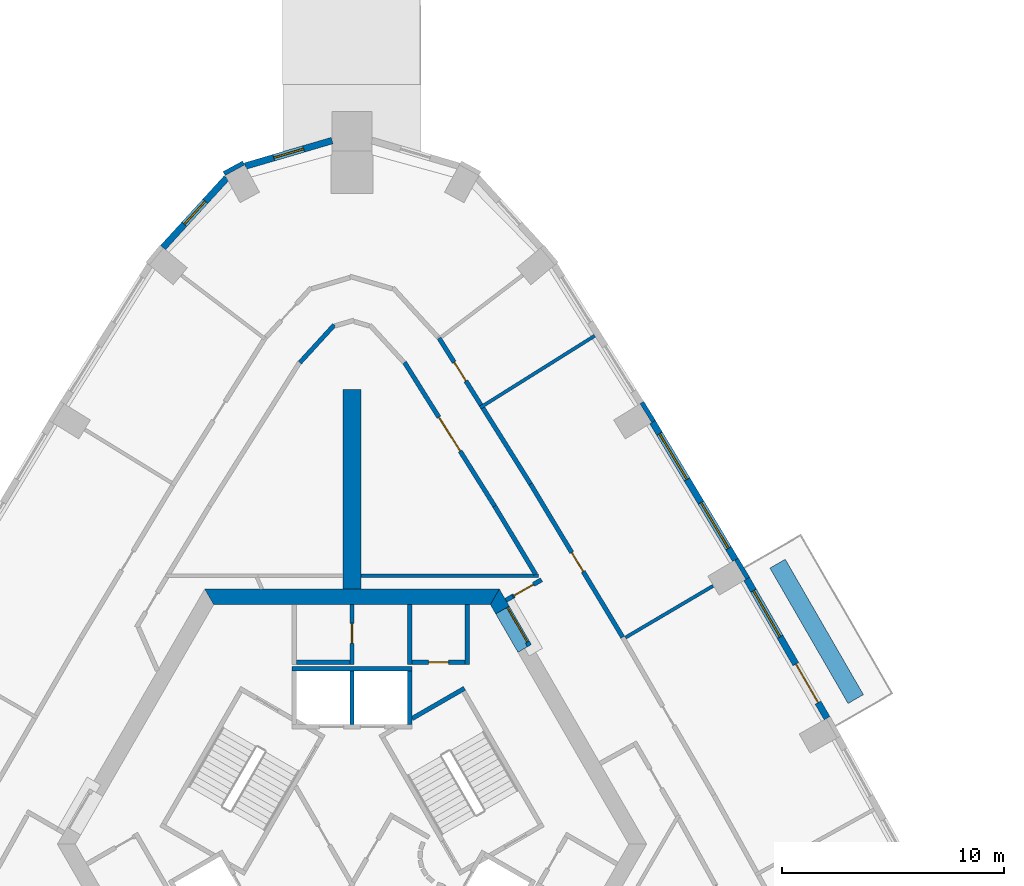
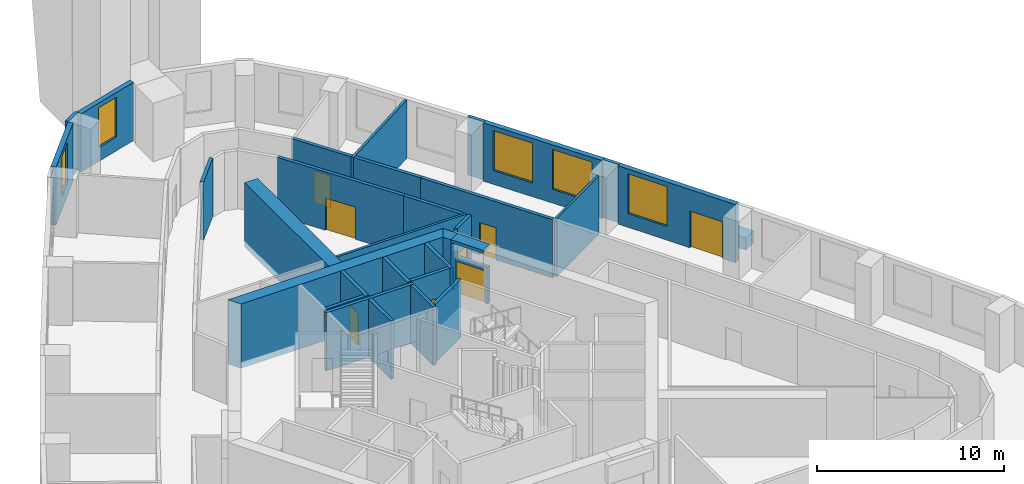
# One storey, part 9 of 13: 33 walls, 8 doors, 5 windows, 13 openings.
"""IFC4 building model written with IfcOpenShell, lengths in metres."""

from ifc_helpers import new_model, si_unit, direction, frame, frame_2d, origin, place, context, subcontext, project, spatial, polyline, rectangle, outline, extrude, material, layer, layer_set, type_object, element, fill, save


model = new_model("IFC4")

# Units and contexts
model_context = context("Model", 3, precision=1e-05, world=origin(), true_north=direction((0.0, 1.0)))
body_context = subcontext(model_context, "Body", "Model", "MODEL_VIEW")
ifc_project = project(units=[si_unit("LENGTHUNIT", "METRE"), si_unit("AREAUNIT", "SQUARE_METRE"), si_unit("VOLUMEUNIT", "CUBIC_METRE"), si_unit("PLANEANGLEUNIT", "RADIAN"), si_unit("MASSUNIT", "GRAM", prefix="KILO")], contexts=[model_context])

# Site, building, storey
site_placement = place(None, origin())
site = spatial("IfcSite", under=ifc_project, at=site_placement, CompositionType="ELEMENT")
building_placement = place(site_placement, origin())
building = spatial("IfcBuilding", under=site, at=building_placement, Name="Entoto Arch Interchange Tower", CompositionType="ELEMENT")
storey_placement = place(building_placement, frame((0.0, 0.0, 215.0)))
storey = spatial("IfcBuildingStorey", under=building, at=storey_placement, Name="L48", CompositionType="ELEMENT", Elevation=215.0)

# Wall
ifc_material_1 = material(Name="Concrete C50/60", Category="concrete")
ifc_layer_1 = layer(ifc_material_1, 0.800048828125)
ifc_layer_set_1 = layer_set([ifc_layer_1], Name="Concrete C50/60")
wall_type_1 = type_object("IfcWallType", Name="Buttress wall 800 C50/60", PredefinedType="SHEAR", material=ifc_layer_set_1)
wall_1_placement = place(storey_placement, frame((0.0, 14.0, -0.39990234375), z_axis=(0.0, 0.0, 1.0), x_axis=(0.0, 1.0, 0.0)))
element("IfcWall", 1, at=wall_1_placement, inside=storey, type_object=wall_type_1, Name="Buttress wall N L48", PredefinedType="SHEAR", context=body_context, shape_type="SweptSolid", body=[
    extrude(rectangle(XDim=9.0, YDim=0.800048828125, at=frame_2d((4.5, 0.0))), origin(), (0.0, 0.0, 1.0), 4.199951171875),
])

# Wall, opening, door
ifc_material_2 = material(Name="Reinforced concrete C40/50", Category="concrete")
ifc_layer_2 = layer(ifc_material_2, 0.199951171875)
ifc_layer_set_2 = layer_set([ifc_layer_2], Name="Reinforced concrete C40/50")
wall_type_2 = type_object("IfcWallType", Name="CORE GAP INFILL WALL", PredefinedType="PARTITIONING", material=ifc_layer_set_2)
wall_2_placement = place(storey_placement, frame((7.9970703125, 11.447998046875, 0.0), z_axis=(0.0, 0.0, 1.0), x_axis=(-0.50002537861, 0.866010750942, 0.0)))
wall_2 = element("IfcWall", 2, at=wall_2_placement, inside=storey, type_object=wall_type_2, Name="wall:L48:gap2", PredefinedType="PARTITIONING", context=body_context, shape_type="SweptSolid", body=[
    extrude(rectangle(XDim=2.0, YDim=0.199951171875, at=frame_2d((1.0, 0.0))), origin(), (0.0, 0.0, 1.0), 2.39990234375),
])
opening_1_placement = place(wall_2_placement, frame((0.18994140625, 0.0, 0.0)))
opening_1 = element("IfcOpeningElement", 3, at=opening_1_placement, cuts=wall_2, Name="Opening L48-D92", PredefinedType="OPENING", context=body_context, shape_type="SweptSolid", body=[
    extrude(rectangle(XDim=1.800048828125, YDim=2.10009765625, at=frame_2d((0.89990234375, 1.050048828125))), frame((0.0, 0.10986328125, 0.0), z_axis=(0.0, -1.0, 0.0), x_axis=(1.0, 0.0, 0.0)), (0.0, 0.0, 1.0), 0.219970703125),
])
ifc_material_3 = material(Name="Fire-rated Steel S235 door and frame", Category="steel")
door_type_1 = type_object("IfcDoorType", Name="DOOR FD-18 1800x2100", OperationType="DOUBLE_DOOR_SINGLE_SWING", PredefinedType="DOOR", material=ifc_material_3)
door_1_placement = place(opening_1_placement, origin())
door_1 = element("IfcDoor", 4, at=door_1_placement, inside=storey, type_object=door_type_1, Name="door:L48:gap2", OperationType="DOUBLE_DOOR_SINGLE_SWING", OverallHeight=2.10009765625, OverallWidth=1.800048828125, PredefinedType="DOOR", context=body_context, shape_type="SweptSolid", body=[
    extrude(rectangle(XDim=1.800048828125, YDim=2.10009765625, at=frame_2d((0.89990234375, 1.050048828125))), frame((0.0, 0.02490234375, 0.0), z_axis=(0.0, -1.0, 0.0), x_axis=(1.0, 0.0, 0.0)), (0.0, 0.0, 1.0), 0.050048828125),
])
fill(opening_1, door_1)

# Walls
ifc_layer_3 = layer(ifc_material_1, 0.699951171875)
ifc_layer_set_3 = layer_set([ifc_layer_3], Name="Concrete C50/60")
wall_type_3 = type_object("IfcWallType", Name="Core wall 700 C50/60", PredefinedType="SHEAR", material=ifc_layer_set_3)
wall_3_placement = place(storey_placement, frame((0.0, 0.0, -0.39990234375)))
element("IfcWall", 5, at=wall_3_placement, inside=storey, type_object=wall_type_3, Name="Core wall NE L48", PredefinedType="SHEAR", context=body_context, shape_type="SweptSolid", body=[
    extrude(outline(polyline([(6.47802734375, 12.8798828125), (7.083984375, 13.22998046875), (6.639892578125, 14.0), (6.235107421875, 13.300048828125), (6.47802734375, 12.8798828125)])), origin(), (0.0, 0.0, 1.0), 4.199951171875),
])
wall_4_placement = place(storey_placement, frame((0.0, 0.0, 3.60009765625)))
element("IfcWall", 6, at=wall_4_placement, inside=storey, type_object=wall_type_3, Name="Core wall lintel NE L48", PredefinedType="SHEAR", context=body_context, shape_type="SweptSolid", body=[
    extrude(outline(polyline([(7.083984375, 13.22998046875), (6.47802734375, 12.8798828125), (7.47802734375, 11.14794921875), (8.083984375, 11.498046875), (7.083984375, 13.22998046875)])), origin(), (0.0, 0.0, 1.0), 0.199951171875),
])
wall_5_placement = place(storey_placement, frame((0.0, 0.0, -0.39990234375)))
element("IfcWall", 7, at=wall_5_placement, inside=storey, type_object=wall_type_3, Name="Core wall N L48", PredefinedType="SHEAR", context=body_context, shape_type="SweptSolid", body=[
    extrude(outline(polyline([(6.639892578125, 14.0), (-6.639892578125, 14.0), (-6.235107421875, 13.300048828125), (6.235107421875, 13.300048828125), (6.639892578125, 14.0)])), origin(), (0.0, 0.0, 1.0), 4.199951171875),
])
ifc_material_4 = material(Name="Concrete C40/50", Category="concrete")
ifc_layer_4 = layer(ifc_material_4, 0.199951171875)
ifc_layer_set_4 = layer_set([ifc_layer_4], Name="Concrete C40/50")
wall_type_4 = type_object("IfcWallType", Name="LIFT SHAFT WALL 200", PredefinedType="STANDARD", material=ifc_layer_set_4)
wall_6_placement = place(storey_placement, frame((2.699951171875, 10.39990234375, 0.0), z_axis=(0.0, 0.0, 1.0), x_axis=(-1.0, 0.0, 0.0)))
element("IfcWall", 8, at=wall_6_placement, inside=storey, type_object=wall_type_4, Name="Shaft wall N1 back", PredefinedType="STANDARD", context=body_context, shape_type="SweptSolid", body=[
    extrude(rectangle(XDim=5.39990234375, YDim=0.199951171875, at=frame_2d((2.699951171875, 0.0))), origin(), (0.0, 0.0, 1.0), 3.800048828125),
])
for number, where, z_axis, x_axis, name in (
    (9, (2.60009765625, 7.89990234375, 0.0), (0.0, 0.0, 1.0), (0.0, 1.0, 0.0), "Shaft wall N1 cross 1"),
    (10, (0.0, 7.89990234375, 0.0), (0.0, 0.0, 1.0), (0.0, 1.0, 0.0), "Shaft wall N1 cross 2"),
):
    element("IfcWall", number, at=place(storey_placement, frame(where, z_axis=z_axis, x_axis=x_axis)), inside=storey, type_object=wall_type_4, Name=name, PredefinedType="STANDARD", context=body_context, shape_type="SweptSolid", body=[
        extrude(rectangle(XDim=2.400146484375, YDim=0.199951171875, at=frame_2d((1.2001953125, 0.0))), origin(), (0.0, 0.0, 1.0), 3.800048828125),
    ])
ifc_material_5 = material(Name="Gypsum board partition on steel studs", Category="steel")
ifc_layer_5 = layer(ifc_material_5, 0.14990234375)
ifc_layer_set_5 = layer_set([ifc_layer_5], Name="Gypsum board partition on steel studs")
wall_type_5 = type_object("IfcWallType", Name="PARTITION 150", PredefinedType="PARTITIONING", material=ifc_layer_set_5)
wall_7_placement = place(storey_placement, frame((8.4150390625, 14.60009765625, 0.0), z_axis=(0.0, 0.0, 1.0), x_axis=(-1.0, 0.0, 0.0)))
element("IfcWall", 11, at=wall_7_placement, inside=storey, type_object=wall_type_5, Name="wall:L48:p084", PredefinedType="PARTITIONING", context=body_context, shape_type="SweptSolid", body=[
    extrude(rectangle(XDim=8.01513671875, YDim=0.14990234375, at=frame_2d((4.007568359375, 0.0))), origin(), (0.0, 0.0, 1.0), 3.800048828125),
])
wall_8_placement = place(storey_placement, frame((12.325927734375, 11.81298828125, 0.0), z_axis=(0.0, 0.0, 1.0), x_axis=(0.861428100003, 0.507879541353, 0.0)))
element("IfcWall", 12, at=wall_8_placement, inside=storey, type_object=wall_type_5, Name="wall:L48:p120", PredefinedType="PARTITIONING", context=body_context, shape_type="SweptSolid", body=[
    extrude(rectangle(XDim=4.57958984375, YDim=0.14990234375, at=frame_2d((2.289794921875, 0.0))), origin(), (0.0, 0.0, 1.0), 3.800048828125),
])
wall_9_placement = place(storey_placement, frame((5.77001953125, 22.172119140625, 0.0), z_axis=(0.0, 0.0, 1.0), x_axis=(0.847187879248, 0.531293419171, 0.0)))
element("IfcWall", 13, at=wall_9_placement, inside=storey, type_object=wall_type_5, Name="wall:L48:p121", PredefinedType="PARTITIONING", context=body_context, shape_type="SweptSolid", body=[
    extrude(rectangle(XDim=6.10009765625, YDim=0.14990234375, at=frame_2d((3.050048828125, 0.0))), origin(), (0.0, 0.0, 1.0), 3.800048828125),
])
ifc_layer_6 = layer(ifc_material_5, 0.199951171875)
ifc_layer_set_6 = layer_set([ifc_layer_6], Name="Gypsum board partition on steel studs")
wall_type_6 = type_object("IfcWallType", Name="PARTITION 200", PredefinedType="PARTITIONING", material=ifc_layer_set_6)
wall_10_placement = place(storey_placement, frame((6.93408203125, 13.489990234375, 0.0), z_axis=(0.0, 0.0, 1.0), x_axis=(0.865871789474, 0.500265973451, 0.0)))
element("IfcWall", 14, at=wall_10_placement, inside=storey, type_object=wall_type_6, Name="wall:L48:p001", PredefinedType="PARTITIONING", context=body_context, shape_type="SweptSolid", body=[
    extrude(rectangle(XDim=0.349853515625, YDim=0.199951171875, at=frame_2d((0.1748046875, 0.0))), origin(), (0.0, 0.0, 1.0), 2.39990234375),
])
wall_11_placement = place(storey_placement, frame((8.27587890625, 14.6640625, 0.0), z_axis=(0.0, 0.0, 1.0), x_axis=(-0.515416266777, 0.85693994652, 0.0)))
element("IfcWall", 15, at=wall_11_placement, inside=storey, type_object=wall_type_6, Name="wall:L48:p006", PredefinedType="PARTITIONING", context=body_context, shape_type="SweptSolid", body=[
    extrude(rectangle(XDim=3.587158203125, YDim=0.199951171875, at=frame_2d((1.79345703125, 0.0))), origin(), (0.0, 0.0, 1.0), 3.800048828125),
])

# Wall, opening, door
wall_12_placement = place(storey_placement, frame((6.427001953125, 17.738037109375, 0.0), z_axis=(0.0, 0.0, 1.0), x_axis=(-0.531335643981, 0.847161397512, 0.0)))
wall_12 = element("IfcWall", 16, at=wall_12_placement, inside=storey, type_object=wall_type_6, Name="wall:L48:p007", PredefinedType="PARTITIONING", context=body_context, shape_type="SweptSolid", body=[
    extrude(rectangle(XDim=7.646728515625, YDim=0.199951171875, at=frame_2d((3.8232421875, 0.0))), origin(), (0.0, 0.0, 1.0), 3.800048828125),
])
opening_2_placement = place(wall_12_placement, frame((2.923095703125, 0.0, 0.0)))
opening_2 = element("IfcOpeningElement", 17, at=opening_2_placement, cuts=wall_12, Name="Opening L48-D20", PredefinedType="OPENING", context=body_context, shape_type="SweptSolid", body=[
    extrude(rectangle(XDim=1.800048828125, YDim=2.10009765625, at=frame_2d((0.89990234375, 1.050048828125))), frame((0.0, 0.10986328125, 0.0), z_axis=(0.0, -1.0, 0.0), x_axis=(1.0, 0.0, 0.0)), (0.0, 0.0, 1.0), 0.219970703125),
])
ifc_material_6 = material(Name="Timber door leaf in Steel S235 frame", Category="steel")
door_type_2 = type_object("IfcDoorType", Name="DOOR DD-18 1800x2100", OperationType="DOUBLE_DOOR_SINGLE_SWING", PredefinedType="DOOR", material=ifc_material_6)
door_2_placement = place(opening_2_placement, origin())
door_2 = element("IfcDoor", 18, at=door_2_placement, inside=storey, type_object=door_type_2, Name="door:L48:20", OperationType="DOUBLE_DOOR_SINGLE_SWING", OverallHeight=2.10009765625, OverallWidth=1.800048828125, PredefinedType="DOOR", context=body_context, shape_type="SweptSolid", body=[
    extrude(rectangle(XDim=1.800048828125, YDim=2.10009765625, at=frame_2d((0.89990234375, 1.050048828125))), frame((0.0, 0.02490234375, 0.0), z_axis=(0.0, -1.0, 0.0), x_axis=(1.0, 0.0, 0.0)), (0.0, 0.0, 1.0), 0.050048828125),
])
fill(opening_2, door_2)

# Walls
wall_13_placement = place(storey_placement, frame((-0.7958984375, 25.905029296875, 0.0), z_axis=(0.0, 0.0, 1.0), x_axis=(-0.67475930229, -0.738037860799, 0.0)))
element("IfcWall", 19, at=wall_13_placement, inside=storey, type_object=wall_type_6, Name="wall:L48:p011", PredefinedType="PARTITIONING", context=body_context, shape_type="SweptSolid", body=[
    extrude(rectangle(XDim=2.30322265625, YDim=0.199951171875, at=frame_2d((1.151611328125, 0.0))), origin(), (0.0, 0.0, 1.0), 3.800048828125),
])
wall_14_placement = place(storey_placement, frame((5.89501953125, 22.162109375, 0.0), z_axis=(0.0, 0.0, 1.0), x_axis=(0.531245023709, -0.847218227368, 0.0)))
element("IfcWall", 20, at=wall_14_placement, inside=storey, type_object=wall_type_6, Name="wall:L48:p045", PredefinedType="PARTITIONING", context=body_context, shape_type="SweptSolid", body=[
    extrude(rectangle(XDim=4.048828125, YDim=0.199951171875, at=frame_2d((2.0244140625, 0.0))), origin(), (0.0, 0.0, 1.0), 3.800048828125),
])

# Wall, opening, door
wall_15_placement = place(storey_placement, frame((8.0458984375, 18.73193359375, 0.0), z_axis=(0.0, 0.0, 1.0), x_axis=(0.515502328211, -0.856888178007, 0.0)))
wall_15 = element("IfcWall", 21, at=wall_15_placement, inside=storey, type_object=wall_type_6, Name="wall:L48:p046", PredefinedType="PARTITIONING", context=body_context, shape_type="SweptSolid", body=[
    extrude(rectangle(XDim=8.058349609375, YDim=0.199951171875, at=frame_2d((4.029296875, 0.0))), origin(), (0.0, 0.0, 1.0), 3.800048828125),
])
opening_3_placement = place(wall_15_placement, frame((3.60400390625, 0.0, 0.0)))
opening_3 = element("IfcOpeningElement", 22, at=opening_3_placement, cuts=wall_15, Name="Opening L48-D05", PredefinedType="OPENING", context=body_context, shape_type="SweptSolid", body=[
    extrude(rectangle(XDim=1.0, YDim=2.10009765625, at=frame_2d((0.5, 1.050048828125))), frame((0.0, 0.10986328125, 0.0), z_axis=(0.0, -1.0, 0.0), x_axis=(1.0, 0.0, 0.0)), (0.0, 0.0, 1.0), 0.219970703125),
])
door_type_3 = type_object("IfcDoorType", Name="DOOR DS-10 1000x2100", OperationType="SINGLE_SWING_LEFT", PredefinedType="DOOR", material=ifc_material_6)
door_3_placement = place(opening_3_placement, origin())
door_3 = element("IfcDoor", 23, at=door_3_placement, inside=storey, type_object=door_type_3, Name="door:L48:05", OperationType="SINGLE_SWING_RIGHT", OverallHeight=2.10009765625, OverallWidth=1.0, PredefinedType="DOOR", context=body_context, shape_type="SweptSolid", body=[
    extrude(rectangle(XDim=1.0, YDim=2.10009765625, at=frame_2d((0.5, 1.050048828125))), frame((0.0, 0.02490234375, 0.0), z_axis=(0.0, -1.0, 0.0), x_axis=(1.0, 0.0, 0.0)), (0.0, 0.0, 1.0), 0.050048828125),
])
fill(opening_3, door_3)

wall_16_placement = place(storey_placement, frame((3.923095703125, 25.306884765625, 0.0), z_axis=(0.0, 0.0, 1.0), x_axis=(0.531150612982, -0.847277419934, 0.0)))
wall_16 = element("IfcWall", 24, at=wall_16_placement, inside=storey, type_object=wall_type_6, Name="wall:L48:p047", PredefinedType="PARTITIONING", context=body_context, shape_type="SweptSolid", body=[
    extrude(rectangle(XDim=3.561767578125, YDim=0.199951171875, at=frame_2d((1.78076171875, 0.0))), origin(), (0.0, 0.0, 1.0), 3.800048828125),
])
opening_4_placement = place(wall_16_placement, frame((1.281005859375, 0.0, 0.0)))
opening_4 = element("IfcOpeningElement", 25, at=opening_4_placement, cuts=wall_16, Name="Opening L48-D06", PredefinedType="OPENING", context=body_context, shape_type="SweptSolid", body=[
    extrude(rectangle(XDim=1.0, YDim=2.10009765625, at=frame_2d((0.5, 1.050048828125))), frame((0.0, 0.10986328125, 0.0), z_axis=(0.0, -1.0, 0.0), x_axis=(1.0, 0.0, 0.0)), (0.0, 0.0, 1.0), 0.219970703125),
])
door_4_placement = place(opening_4_placement, origin())
door_4 = element("IfcDoor", 26, at=door_4_placement, inside=storey, type_object=door_type_3, Name="door:L48:06", OperationType="SINGLE_SWING_LEFT", OverallHeight=2.10009765625, OverallWidth=1.0, PredefinedType="DOOR", context=body_context, shape_type="SweptSolid", body=[
    extrude(rectangle(XDim=1.0, YDim=2.10009765625, at=frame_2d((0.5, 1.050048828125))), frame((0.0, 0.02490234375, 0.0), z_axis=(0.0, -1.0, 0.0), x_axis=(1.0, 0.0, 0.0)), (0.0, 0.0, 1.0), 0.050048828125),
])
fill(opening_4, door_4)

# Wall
wall_17_placement = place(storey_placement, frame((5.199951171875, 13.300048828125, 0.0), z_axis=(0.0, 0.0, 1.0), x_axis=(0.0, -1.0, 0.0)))
element("IfcWall", 27, at=wall_17_placement, inside=storey, type_object=wall_type_6, Name="wall:L48:p067", PredefinedType="PARTITIONING", context=body_context, shape_type="SweptSolid", body=[
    extrude(rectangle(XDim=2.699951171875, YDim=0.199951171875, at=frame_2d((1.35009765625, 0.0))), origin(), (0.0, 0.0, 1.0), 3.800048828125),
])

# Wall, opening, door
wall_18_placement = place(storey_placement, frame((5.10009765625, 10.699951171875, 0.0), z_axis=(0.0, 0.0, 1.0), x_axis=(-1.0, 0.0, 0.0)))
wall_18 = element("IfcWall", 28, at=wall_18_placement, inside=storey, type_object=wall_type_6, Name="wall:L48:p068", PredefinedType="PARTITIONING", context=body_context, shape_type="SweptSolid", body=[
    extrude(rectangle(XDim=2.400146484375, YDim=0.199951171875, at=frame_2d((1.2001953125, 0.0))), origin(), (0.0, 0.0, 1.0), 3.800048828125),
])
opening_5_placement = place(wall_18_placement, frame((0.75, 0.0, 0.0)))
opening_5 = element("IfcOpeningElement", 29, at=opening_5_placement, cuts=wall_18, Name="Opening L48-D30", PredefinedType="OPENING", context=body_context, shape_type="SweptSolid", body=[
    extrude(rectangle(XDim=0.89990234375, YDim=2.10009765625, at=frame_2d((0.449951171875, 1.050048828125))), frame((0.0, 0.10986328125, 0.0), z_axis=(0.0, -1.0, 0.0), x_axis=(1.0, 0.0, 0.0)), (0.0, 0.0, 1.0), 0.219970703125),
])
door_type_4 = type_object("IfcDoorType", Name="DOOR DS-09 900x2100", OperationType="SINGLE_SWING_LEFT", PredefinedType="DOOR", material=ifc_material_6)
door_5_placement = place(opening_5_placement, origin())
door_5 = element("IfcDoor", 30, at=door_5_placement, inside=storey, type_object=door_type_4, Name="door:L48:30", OperationType="SINGLE_SWING_RIGHT", OverallHeight=2.10009765625, OverallWidth=0.89990234375, PredefinedType="DOOR", context=body_context, shape_type="SweptSolid", body=[
    extrude(rectangle(XDim=0.89990234375, YDim=2.10009765625, at=frame_2d((0.449951171875, 1.050048828125))), frame((0.0, 0.02490234375, 0.0), z_axis=(0.0, -1.0, 0.0), x_axis=(1.0, 0.0, 0.0)), (0.0, 0.0, 1.0), 0.050048828125),
])
fill(opening_5, door_5)

# Wall
wall_19_placement = place(storey_placement, frame((2.60009765625, 10.60009765625, 0.0), z_axis=(0.0, 0.0, 1.0), x_axis=(0.0, 1.0, 0.0)))
element("IfcWall", 31, at=wall_19_placement, inside=storey, type_object=wall_type_6, Name="wall:L48:p069", PredefinedType="PARTITIONING", context=body_context, shape_type="SweptSolid", body=[
    extrude(rectangle(XDim=2.699951171875, YDim=0.199951171875, at=frame_2d((1.35009765625, 0.0))), origin(), (0.0, 0.0, 1.0), 3.800048828125),
])

# Wall, opening, door
wall_20_placement = place(storey_placement, frame((0.0, 13.300048828125, 0.0), z_axis=(0.0, 0.0, 1.0), x_axis=(0.0, -1.0, 0.0)))
wall_20 = element("IfcWall", 32, at=wall_20_placement, inside=storey, type_object=wall_type_6, Name="wall:L48:p070", PredefinedType="PARTITIONING", context=body_context, shape_type="SweptSolid", body=[
    extrude(rectangle(XDim=2.699951171875, YDim=0.199951171875, at=frame_2d((1.35009765625, 0.0))), origin(), (0.0, 0.0, 1.0), 3.800048828125),
])
opening_6_placement = place(wall_20_placement, frame((0.85009765625, 0.0, 0.0)))
opening_6 = element("IfcOpeningElement", 33, at=opening_6_placement, cuts=wall_20, Name="Opening L48-D31", PredefinedType="OPENING", context=body_context, shape_type="SweptSolid", body=[
    extrude(rectangle(XDim=0.89990234375, YDim=2.10009765625, at=frame_2d((0.449951171875, 1.050048828125))), frame((0.0, 0.10986328125, 0.0), z_axis=(0.0, -1.0, 0.0), x_axis=(1.0, 0.0, 0.0)), (0.0, 0.0, 1.0), 0.219970703125),
])
door_6_placement = place(opening_6_placement, origin())
door_6 = element("IfcDoor", 34, at=door_6_placement, inside=storey, type_object=door_type_4, Name="door:L48:31", OperationType="SINGLE_SWING_RIGHT", OverallHeight=2.10009765625, OverallWidth=0.89990234375, PredefinedType="DOOR", context=body_context, shape_type="SweptSolid", body=[
    extrude(rectangle(XDim=0.89990234375, YDim=2.10009765625, at=frame_2d((0.449951171875, 1.050048828125))), frame((0.0, 0.02490234375, 0.0), z_axis=(0.0, -1.0, 0.0), x_axis=(1.0, 0.0, 0.0)), (0.0, 0.0, 1.0), 0.050048828125),
])
fill(opening_6, door_6)

# Wall
wall_21_placement = place(storey_placement, frame((-0.10009765625, 10.699951171875, 0.0), z_axis=(0.0, 0.0, 1.0), x_axis=(-1.0, 0.0, 0.0)))
element("IfcWall", 35, at=wall_21_placement, inside=storey, type_object=wall_type_6, Name="wall:L48:p071", PredefinedType="PARTITIONING", context=body_context, shape_type="SweptSolid", body=[
    extrude(rectangle(XDim=2.39990234375, YDim=0.199951171875, at=frame_2d((1.199951171875, 0.0))), origin(), (0.0, 0.0, 1.0), 3.800048828125),
])

# Wall, opening, door
wall_22_placement = place(storey_placement, frame((7.237060546875, 13.6650390625, 0.0), z_axis=(0.0, 0.0, 1.0), x_axis=(0.865999269783, 0.500045262687, 0.0)))
wall_22 = element("IfcWall", 36, at=wall_22_placement, inside=storey, type_object=wall_type_6, Name="wall:L48:p001", PredefinedType="PARTITIONING", context=body_context, shape_type="SweptSolid", body=[
    extrude(rectangle(XDim=1.505615234375, YDim=0.199951171875, at=frame_2d((0.7529296875, 0.0))), origin(), (0.0, 0.0, 1.0), 3.800048828125),
])
opening_7_placement = place(wall_22_placement, frame((0.077880859375, 0.0, 0.0)))
opening_7 = element("IfcOpeningElement", 37, at=opening_7_placement, cuts=wall_22, Name="Opening L48-D25", PredefinedType="OPENING", context=body_context, shape_type="SweptSolid", body=[
    extrude(rectangle(XDim=1.0, YDim=2.10009765625, at=frame_2d((0.5, 1.050048828125))), frame((0.0, 0.10986328125, 0.0), z_axis=(0.0, -1.0, 0.0), x_axis=(1.0, 0.0, 0.0)), (0.0, 0.0, 1.0), 0.219970703125),
])
door_7_placement = place(opening_7_placement, origin())
door_7 = element("IfcDoor", 38, at=door_7_placement, inside=storey, type_object=door_type_3, Name="door:L48:25", OperationType="SINGLE_SWING_LEFT", OverallHeight=2.10009765625, OverallWidth=1.0, PredefinedType="DOOR", context=body_context, shape_type="SweptSolid", body=[
    extrude(rectangle(XDim=1.0, YDim=2.10009765625, at=frame_2d((0.5, 1.050048828125))), frame((0.0, 0.02490234375, 0.0), z_axis=(0.0, -1.0, 0.0), x_axis=(1.0, 0.0, 0.0)), (0.0, 0.0, 1.0), 0.050048828125),
])
fill(opening_7, door_7)

# Walls
ifc_material_7 = material(Name="Board-marked precast concrete C50/60", Category="concrete")
ifc_layer_7 = layer(ifc_material_7, 0.800048828125)
ifc_layer_set_7 = layer_set([ifc_layer_7], Name="Board-marked precast concrete C50/60")
wall_type_7 = type_object("IfcWallType", Name="PLANTER RC 800 Vachellia abyssinica", PredefinedType="STANDARD", material=ifc_layer_set_7)
wall_23_placement = place(storey_placement, frame((22.702880859375, 9.0390625, 0.0), z_axis=(0.0, 0.0, 1.0), x_axis=(-0.500036321933, 0.866004432291, 0.0)))
element("IfcWall", 39, at=wall_23_placement, inside=storey, type_object=wall_type_7, Name="Planter NE-03 L48", PredefinedType="STANDARD", context=body_context, shape_type="SweptSolid", body=[
    extrude(rectangle(XDim=7.04736328125, YDim=0.800048828125, at=frame_2d((3.523681640625, 0.0))), origin(), (0.0, 0.0, 1.0), 0.800048828125),
])
ifc_layer_8 = layer(ifc_material_4, 0.199951171875)
ifc_layer_set_8 = layer_set([ifc_layer_8], Name="Concrete C40/50")
wall_type_8 = type_object("IfcWallType", Name="STAIR ENCLOSURE WALL 200", PredefinedType="STANDARD", material=ifc_layer_set_8)
wall_24_placement = place(storey_placement, frame((2.699951171875, 8.157958984375, 0.0), z_axis=(0.0, 0.0, 1.0), x_axis=(0.86611865017, 0.499838457731, 0.0)))
element("IfcWall", 40, at=wall_24_placement, inside=storey, type_object=wall_type_8, Name="Stair wall ST-NE far", PredefinedType="STANDARD", context=body_context, shape_type="SweptSolid", body=[
    extrude(rectangle(XDim=2.73291015625, YDim=0.199951171875, at=frame_2d((1.366455078125, 0.0))), origin(), (0.0, 0.0, 1.0), 3.800048828125),
])

# Wall, openings, door, window
ifc_material_8 = material(Name="Welded tuff (ignimbrite) cladding, warm buff", Category="masonry")
ifc_layer_9 = layer(ifc_material_8, 0.300048828125)
ifc_layer_set_9 = layer_set([ifc_layer_9], Name="Welded tuff (ignimbrite) cladding, warm buff")
wall_type_9 = type_object("IfcWallType", Name="STONE INFILL WALL 300", PredefinedType="STANDARD", material=ifc_layer_set_9)
wall_25_placement = place(storey_placement, frame((21.410888671875, 8.177001953125, 0.0), z_axis=(0.0, 0.0, 1.0), x_axis=(-0.499968351115, 0.866043675505, 0.0)))
wall_25 = element("IfcWall", 41, at=wall_25_placement, inside=storey, type_object=wall_type_9, Name="Facade wall NE-03 L48", PredefinedType="STANDARD", context=body_context, shape_type="SweptSolid", body=[
    extrude(rectangle(XDim=7.248046875, YDim=0.300048828125, at=frame_2d((3.6240234375, 0.0))), origin(), (0.0, 0.0, 1.0), 3.800048828125),
])
opening_8_placement = place(wall_25_placement, frame((0.81201171875, 0.0, 0.0)))
opening_8 = element("IfcOpeningElement", 42, at=opening_8_placement, cuts=wall_25, Name="Opening DB-NE-03-L48", PredefinedType="OPENING", context=body_context, shape_type="SweptSolid", body=[
    extrude(rectangle(XDim=2.0, YDim=2.39990234375, at=frame_2d((1.0, 1.199951171875))), frame((0.0, 0.16015625, 0.0), z_axis=(0.0, -1.0, 0.0), x_axis=(1.0, 0.0, 0.0)), (0.0, 0.0, 1.0), 0.320068359375),
])
opening_9_placement = place(wall_25_placement, frame((4.236083984375, 0.0, 0.89990234375)))
opening_9 = element("IfcOpeningElement", 43, at=opening_9_placement, cuts=wall_25, Name="Opening WO-A", PredefinedType="OPENING", context=body_context, shape_type="SweptSolid", body=[
    extrude(rectangle(XDim=2.39990234375, YDim=2.60009765625, at=frame_2d((1.199951171875, 1.300048828125))), frame((0.0, 0.16015625, 0.0), z_axis=(0.0, -1.0, 0.0), x_axis=(1.0, 0.0, 0.0)), (0.0, 0.0, 1.0), 0.320068359375),
])
ifc_material_9 = material(Name="Aluminium and clear glass, anodised", Category="aluminium")
door_type_5 = type_object("IfcDoorType", Name="BALCONY DOOR DB 2000x2400", OperationType="SLIDING_TO_LEFT", PredefinedType="DOOR", material=ifc_material_9)
door_8_placement = place(opening_8_placement, origin())
door_8 = element("IfcDoor", 44, at=door_8_placement, inside=storey, type_object=door_type_5, Name="Balcony door NE-03 L48", OperationType="SLIDING_TO_LEFT", OverallHeight=2.39990234375, OverallWidth=2.0, PredefinedType="DOOR", context=body_context, shape_type="SweptSolid", body=[
    extrude(rectangle(XDim=2.0, YDim=2.39990234375, at=frame_2d((1.0, 1.199951171875))), frame((0.0, 0.02490234375, 0.0), z_axis=(0.0, -1.0, 0.0), x_axis=(1.0, 0.0, 0.0)), (0.0, 0.0, 1.0), 0.050048828125),
])
fill(opening_8, door_8)
ifc_material_10 = material(Name="Clear glass, low-e double glazed", Category="glass")
window_type_1 = type_object("IfcWindowType", Name="WINDOW WO-A 2400x2600", PartitioningType="DOUBLE_PANEL_VERTICAL", PredefinedType="WINDOW", material=ifc_material_10)
window_1_placement = place(opening_9_placement, origin())
window_1 = element("IfcWindow", 45, at=window_1_placement, inside=storey, type_object=window_type_1, Name="Window WO-A NE-03 L48", OverallHeight=2.60009765625, OverallWidth=2.39990234375, PartitioningType="SINGLE_PANEL", PredefinedType="WINDOW", context=body_context, shape_type="SweptSolid", body=[
    extrude(rectangle(XDim=2.39990234375, YDim=2.60009765625, at=frame_2d((1.199951171875, 1.300048828125))), frame((0.0, 0.030029296875, 0.0), z_axis=(0.0, -1.0, 0.0), x_axis=(1.0, 0.0, 0.0)), (0.0, 0.0, 1.0), 0.06005859375),
])
fill(opening_9, window_1)

# Wall, openings, windows
wall_26_placement = place(storey_placement, frame((17.281005859375, 15.31298828125, 0.0), z_axis=(0.0, 0.0, 1.0), x_axis=(-0.515560283412, 0.856853309597, 0.0)))
wall_26 = element("IfcWall", 46, at=wall_26_placement, inside=storey, type_object=wall_type_9, Name="Facade wall NE-04 L48", PredefinedType="STANDARD", context=body_context, shape_type="SweptSolid", body=[
    extrude(rectangle(XDim=7.24853515625, YDim=0.300048828125, at=frame_2d((3.624267578125, 0.0))), origin(), (0.0, 0.0, 1.0), 3.800048828125),
])
opening_10_placement = place(wall_26_placement, frame((0.612060546875, 0.0, 0.89990234375)))
opening_10 = element("IfcOpeningElement", 47, at=opening_10_placement, cuts=wall_26, Name="Opening WO-A", PredefinedType="OPENING", context=body_context, shape_type="SweptSolid", body=[
    extrude(rectangle(XDim=2.39990234375, YDim=2.60009765625, at=frame_2d((1.199951171875, 1.300048828125))), frame((0.0, 0.16015625, 0.0), z_axis=(0.0, -1.0, 0.0), x_axis=(1.0, 0.0, 0.0)), (0.0, 0.0, 1.0), 0.320068359375),
])
opening_11_placement = place(wall_26_placement, frame((4.236083984375, 0.0, 0.89990234375)))
opening_11 = element("IfcOpeningElement", 48, at=opening_11_placement, cuts=wall_26, Name="Opening WO-A", PredefinedType="OPENING", context=body_context, shape_type="SweptSolid", body=[
    extrude(rectangle(XDim=2.39990234375, YDim=2.60009765625, at=frame_2d((1.199951171875, 1.300048828125))), frame((0.0, 0.16015625, 0.0), z_axis=(0.0, -1.0, 0.0), x_axis=(1.0, 0.0, 0.0)), (0.0, 0.0, 1.0), 0.320068359375),
])
window_2_placement = place(opening_10_placement, origin())
window_2 = element("IfcWindow", 49, at=window_2_placement, inside=storey, type_object=window_type_1, Name="Window WO-A NE-04 L48", OverallHeight=2.60009765625, OverallWidth=2.39990234375, PartitioningType="SINGLE_PANEL", PredefinedType="WINDOW", context=body_context, shape_type="SweptSolid", body=[
    extrude(rectangle(XDim=2.39990234375, YDim=2.60009765625, at=frame_2d((1.199951171875, 1.300048828125))), frame((0.0, 0.030029296875, 0.0), z_axis=(0.0, -1.0, 0.0), x_axis=(1.0, 0.0, 0.0)), (0.0, 0.0, 1.0), 0.06005859375),
])
fill(opening_10, window_2)
window_3_placement = place(opening_11_placement, origin())
window_3 = element("IfcWindow", 50, at=window_3_placement, inside=storey, type_object=window_type_1, Name="Window WO-A NE-04 L48", OverallHeight=2.60009765625, OverallWidth=2.39990234375, PartitioningType="SINGLE_PANEL", PredefinedType="WINDOW", context=body_context, shape_type="SweptSolid", body=[
    extrude(rectangle(XDim=2.39990234375, YDim=2.60009765625, at=frame_2d((1.199951171875, 1.300048828125))), frame((0.0, 0.030029296875, 0.0), z_axis=(0.0, -1.0, 0.0), x_axis=(1.0, 0.0, 0.0)), (0.0, 0.0, 1.0), 0.06005859375),
])
fill(opening_11, window_3)

# Wall, opening, window
wall_27_placement = place(storey_placement, frame((-0.89892578125, 34.2109375, 0.0), z_axis=(0.0, 0.0, 1.0), x_axis=(-0.959458909918, -0.281848541203, 0.0)))
wall_27 = element("IfcWall", 51, at=wall_27_placement, inside=storey, type_object=wall_type_9, Name="Facade wall N-03 L48", PredefinedType="STANDARD", context=body_context, shape_type="SweptSolid", body=[
    extrude(rectangle(XDim=4.076416015625, YDim=0.300048828125, at=frame_2d((2.0380859375, 0.0))), origin(), (0.0, 0.0, 1.0), 3.800048828125),
])
opening_12_placement = place(wall_27_placement, frame((1.337890625, 0.0, 0.89990234375)))
opening_12 = element("IfcOpeningElement", 52, at=opening_12_placement, cuts=wall_27, Name="Opening WO-B", PredefinedType="OPENING", context=body_context, shape_type="SweptSolid", body=[
    extrude(rectangle(XDim=1.39990234375, YDim=2.60009765625, at=frame_2d((0.699951171875, 1.300048828125))), frame((0.0, 0.16015625, 0.0), z_axis=(0.0, -1.0, 0.0), x_axis=(1.0, 0.0, 0.0)), (0.0, 0.0, 1.0), 0.320068359375),
])
window_type_2 = type_object("IfcWindowType", Name="WINDOW WO-B 1400x2600", PartitioningType="DOUBLE_PANEL_VERTICAL", PredefinedType="WINDOW", material=ifc_material_10)
window_4_placement = place(opening_12_placement, origin())
window_4 = element("IfcWindow", 53, at=window_4_placement, inside=storey, type_object=window_type_2, Name="Window WO-B N-03 L48", OverallHeight=2.60009765625, OverallWidth=1.39990234375, PartitioningType="SINGLE_PANEL", PredefinedType="WINDOW", context=body_context, shape_type="SweptSolid", body=[
    extrude(rectangle(XDim=1.39990234375, YDim=2.60009765625, at=frame_2d((0.699951171875, 1.300048828125))), frame((0.0, 0.030029296875, 0.0), z_axis=(0.0, -1.0, 0.0), x_axis=(1.0, 0.0, 0.0)), (0.0, 0.0, 1.0), 0.06005859375),
])
fill(opening_12, window_4)

wall_28_placement = place(storey_placement, frame((-5.653076171875, 32.52392578125, 0.0), z_axis=(0.0, 0.0, 1.0), x_axis=(-0.674487390017, -0.738286367684, 0.0)))
wall_28 = element("IfcWall", 54, at=wall_28_placement, inside=storey, type_object=wall_type_9, Name="Facade wall N-04 L48", PredefinedType="STANDARD", context=body_context, shape_type="SweptSolid", body=[
    extrude(rectangle(XDim=4.24755859375, YDim=0.300048828125, at=frame_2d((2.123779296875, 0.0))), origin(), (0.0, 0.0, 1.0), 3.800048828125),
])
opening_13_placement = place(wall_28_placement, frame((1.424072265625, 0.0, 0.89990234375)))
opening_13 = element("IfcOpeningElement", 55, at=opening_13_placement, cuts=wall_28, Name="Opening WO-B", PredefinedType="OPENING", context=body_context, shape_type="SweptSolid", body=[
    extrude(rectangle(XDim=1.39990234375, YDim=2.60009765625, at=frame_2d((0.699951171875, 1.300048828125))), frame((0.0, 0.16015625, 0.0), z_axis=(0.0, -1.0, 0.0), x_axis=(1.0, 0.0, 0.0)), (0.0, 0.0, 1.0), 0.320068359375),
])
window_5_placement = place(opening_13_placement, origin())
window_5 = element("IfcWindow", 56, at=window_5_placement, inside=storey, type_object=window_type_2, Name="Window WO-B N-04 L48", OverallHeight=2.60009765625, OverallWidth=1.39990234375, PartitioningType="SINGLE_PANEL", PredefinedType="WINDOW", context=body_context, shape_type="SweptSolid", body=[
    extrude(rectangle(XDim=1.39990234375, YDim=2.60009765625, at=frame_2d((0.699951171875, 1.300048828125))), frame((0.0, 0.030029296875, 0.0), z_axis=(0.0, -1.0, 0.0), x_axis=(1.0, 0.0, 0.0)), (0.0, 0.0, 1.0), 0.06005859375),
])
fill(opening_13, window_5)

# Walls
ifc_layer_10 = layer(ifc_material_8, 0.199951171875)
ifc_layer_set_10 = layer_set([ifc_layer_10], Name="Welded tuff (ignimbrite) cladding, warm buff")
wall_type_10 = type_object("IfcWallType", Name="STONE PIER CLADDING 200", PredefinedType="STANDARD", material=ifc_layer_set_10)
for number, where, z_axis, x_axis, name in (
    (57, (-4.885986328125, 33.2041015625, 0.0), (0.0, 0.0, 1.0), (-0.878250009632, -0.478201757191, 0.0), "Stone pier N3 L48"),
    (58, (17.8349609375, 14.48095703125, 0.0), (0.0, 0.0, 1.0), (-0.508161541526, 0.861261776531, 0.0), "Stone pier NE04 L48"),
):
    element("IfcWall", number, at=place(storey_placement, frame(where, z_axis=z_axis, x_axis=x_axis)), inside=storey, type_object=wall_type_10, Name=name, PredefinedType="STANDARD", context=body_context, shape_type="SweptSolid", body=[
        extrude(rectangle(XDim=0.999755859375, YDim=0.199951171875, at=frame_2d((0.5, 0.0))), origin(), (0.0, 0.0, 1.0), 3.800048828125),
    ])
wall_29_placement = place(storey_placement, frame((13.592041015625, 21.552001953125, 0.0), z_axis=(0.0, 0.0, 1.0), x_axis=(-0.525825307325, 0.850592585306, 0.0)))
element("IfcWall", 59, at=wall_29_placement, inside=storey, type_object=wall_type_10, Name="Stone pier NE05 L48", PredefinedType="STANDARD", context=body_context, shape_type="SweptSolid", body=[
    extrude(rectangle(XDim=1.00048828125, YDim=0.199951171875, at=frame_2d((0.500244140625, 0.0))), origin(), (0.0, 0.0, 1.0), 3.800048828125),
])

save(model, "model.ifc")
